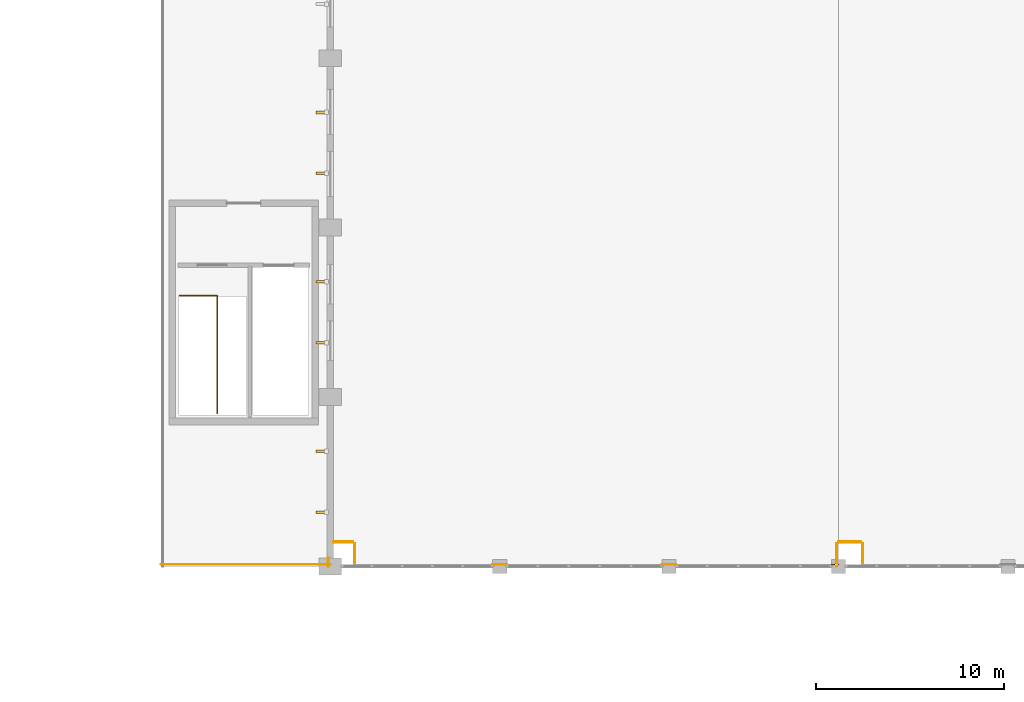
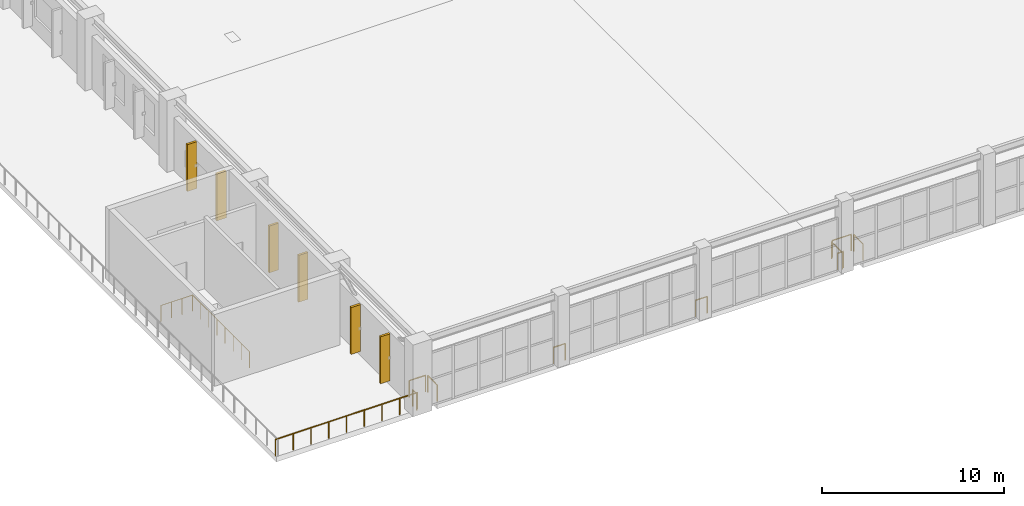
# One storey, part 71 of 89: 11 railings, 6 shading devices.
"""IFC4 building model written with IfcOpenShell, lengths in metres."""

from ifc_helpers import new_model, si_unit, direction, frame, origin, origin_2d, place, context, subcontext, project, spatial, rectangle, circle, extrude, material, layer, layer_set, type_object, element, save


model = new_model("IFC4")

# Units and contexts
model_context = context("Model", 3, precision=1e-05, world=origin(), true_north=direction((0.0, 1.0)))
body_context = subcontext(model_context, "Body", "Model", "MODEL_VIEW")
ifc_project = project(units=[si_unit("LENGTHUNIT", "METRE"), si_unit("AREAUNIT", "SQUARE_METRE"), si_unit("VOLUMEUNIT", "CUBIC_METRE"), si_unit("PLANEANGLEUNIT", "RADIAN"), si_unit("MASSUNIT", "GRAM", prefix="KILO")], contexts=[model_context])

# Site, building, storey
site_placement = place(None, origin())
site = spatial("IfcSite", under=ifc_project, at=site_placement, CompositionType="ELEMENT")
building_placement = place(site_placement, origin())
building = spatial("IfcBuilding", under=site, at=building_placement, Name="Dornveld Trade and Exhibition Forum", CompositionType="ELEMENT")
storey_placement = place(building_placement, frame((0.0, 0.0, 12.0)))
storey = spatial("IfcBuildingStorey", under=building, at=storey_placement, Name="L02", CompositionType="ELEMENT", Elevation=12.0)

# Railings
ifc_material_1 = material(Name="Dark-bronze steel and laminated glass balustrade", Category="steel")
railing_type_1 = type_object("IfcRailingType", Name="RL-BALUST-CONC", PredefinedType="BALUSTRADE", material=ifc_material_1)
railing_1_placement = place(storey_placement, frame((55.300048828125, 36.179931640625, 0.0)))
element("IfcRailing", 1, at=railing_1_placement, inside=storey, type_object=railing_type_1, Name="L02 deck edge balustrade 150", PredefinedType="BALUSTRADE", context=body_context, shape_type="SweptSolid", body=[
    extrude(circle(Radius=0.02490234375, at=origin_2d()), frame((0.0, 0.0, 1.09521484375), z_axis=(0.0, 1.0, 0.0), x_axis=(-1.0, 0.0, 0.0)), (0.0, 0.0, 1.0), 1.02001953125),
    extrude(circle(Radius=0.02099609375, at=origin_2d()), origin(), (0.0, 0.0, 1.0), 1.070068359375),
    extrude(circle(Radius=0.02099609375, at=origin_2d()), frame((0.0, 1.02001953125, 0.0)), (0.0, 0.0, 1.0), 1.070068359375),
])
railing_2_placement = place(storey_placement, frame((55.199951171875, 37.300048828125, 0.0)))
element("IfcRailing", 2, at=railing_2_placement, inside=storey, type_object=railing_type_1, Name="L02 deck edge balustrade 151", PredefinedType="BALUSTRADE", context=body_context, shape_type="SweptSolid", body=[
    extrude(circle(Radius=0.02490234375, at=origin_2d()), frame((0.0, 0.0, 1.09521484375), z_axis=(-1.0, 0.0, 0.0), x_axis=(0.0, -1.0, 0.0)), (0.0, 0.0, 1.0), 1.199951171875),
    extrude(circle(Radius=0.02099609375, at=origin_2d()), origin(), (0.0, 0.0, 1.0), 1.070068359375),
    extrude(circle(Radius=0.02099609375, at=origin_2d()), frame((-1.199951171875, 0.0, 0.0)), (0.0, 0.0, 1.0), 1.070068359375),
])
railing_3_placement = place(storey_placement, frame((53.89990234375, 37.199951171875, 0.0)))
element("IfcRailing", 3, at=railing_3_placement, inside=storey, type_object=railing_type_1, Name="L02 deck edge balustrade 152", PredefinedType="BALUSTRADE", context=body_context, shape_type="SweptSolid", body=[
    extrude(circle(Radius=0.02490234375, at=origin_2d()), frame((0.0, 0.0, 1.09521484375), z_axis=(0.0, -1.0, 0.0), x_axis=(1.0, 0.0, 0.0)), (0.0, 0.0, 1.0), 1.199951171875),
    extrude(circle(Radius=0.02099609375, at=origin_2d()), origin(), (0.0, 0.0, 1.0), 1.070068359375),
    extrude(circle(Radius=0.02099609375, at=origin_2d()), frame((0.0, -1.199951171875, 0.0)), (0.0, 0.0, 1.0), 1.070068359375),
])
railing_4_placement = place(storey_placement, frame((54.0, 36.10009765625, 0.0)))
element("IfcRailing", 4, at=railing_4_placement, inside=storey, type_object=railing_type_1, Name="L02 deck edge balustrade 153", PredefinedType="BALUSTRADE", context=body_context, shape_type="SweptSolid", body=[
    extrude(circle(Radius=0.02490234375, at=origin_2d()), frame((0.0, 0.0, 1.09521484375), z_axis=(-1.0, 0.0, 0.0), x_axis=(0.0, -1.0, 0.0)), (0.0, 0.0, 1.0), 0.37109375),
    extrude(circle(Radius=0.02099609375, at=origin_2d()), origin(), (0.0, 0.0, 1.0), 1.070068359375),
    extrude(circle(Radius=0.02099609375, at=origin_2d()), frame((-0.37109375, 0.0, 0.0)), (0.0, 0.0, 1.0), 1.070068359375),
])
for number, where, name in (
    (5, (45.37109375, 36.10009765625, 0.0), "L02 deck edge balustrade 154"),
    (6, (36.37109375, 36.10009765625, 0.0), "L02 deck edge balustrade 155"),
):
    element("IfcRailing", number, at=place(storey_placement, frame(where)), inside=storey, type_object=railing_type_1, Name=name, PredefinedType="BALUSTRADE", context=body_context, shape_type="SweptSolid", body=[
        extrude(circle(Radius=0.02490234375, at=origin_2d()), frame((0.0, 0.0, 1.09521484375), z_axis=(-1.0, 0.0, 0.0), x_axis=(0.0, -1.0, 0.0)), (0.0, 0.0, 1.0), 0.7421875),
        extrude(circle(Radius=0.02099609375, at=origin_2d()), origin(), (0.0, 0.0, 1.0), 1.070068359375),
        extrude(circle(Radius=0.02099609375, at=origin_2d()), frame((-0.7421875, 0.0, 0.0)), (0.0, 0.0, 1.0), 1.070068359375),
    ])
railing_5_placement = place(storey_placement, frame((28.300048828125, 36.179931640625, 0.0)))
element("IfcRailing", 7, at=railing_5_placement, inside=storey, type_object=railing_type_1, Name="L02 deck edge balustrade 156", PredefinedType="BALUSTRADE", context=body_context, shape_type="SweptSolid", body=[
    extrude(circle(Radius=0.02490234375, at=origin_2d()), frame((0.0, 0.0, 1.09521484375), z_axis=(0.0, 1.0, 0.0), x_axis=(-1.0, 0.0, 0.0)), (0.0, 0.0, 1.0), 1.02001953125),
    extrude(circle(Radius=0.02099609375, at=origin_2d()), origin(), (0.0, 0.0, 1.0), 1.070068359375),
    extrude(circle(Radius=0.02099609375, at=origin_2d()), frame((0.0, 1.02001953125, 0.0)), (0.0, 0.0, 1.0), 1.070068359375),
])
railing_6_placement = place(storey_placement, frame((28.199951171875, 37.300048828125, 0.0)))
element("IfcRailing", 8, at=railing_6_placement, inside=storey, type_object=railing_type_1, Name="L02 deck edge balustrade 157", PredefinedType="BALUSTRADE", context=body_context, shape_type="SweptSolid", body=[
    extrude(circle(Radius=0.02490234375, at=origin_2d()), frame((0.0, 0.0, 1.09521484375), z_axis=(-1.0, 0.0, 0.0), x_axis=(0.0, -1.0, 0.0)), (0.0, 0.0, 1.0), 1.02001953125),
    extrude(circle(Radius=0.02099609375, at=origin_2d()), origin(), (0.0, 0.0, 1.0), 1.070068359375),
    extrude(circle(Radius=0.02099609375, at=origin_2d()), frame((-1.02001953125, 0.0, 0.0)), (0.0, 0.0, 1.0), 1.070068359375),
])
railing_7_placement = place(storey_placement, frame((26.89990234375, 36.449462890625, 0.0)))
element("IfcRailing", 9, at=railing_7_placement, inside=storey, type_object=railing_type_1, Name="L02 deck edge balustrade 158", PredefinedType="BALUSTRADE", context=body_context, shape_type="SweptSolid", body=[
    extrude(circle(Radius=0.02490234375, at=origin_2d()), frame((0.0, 0.0, 1.09521484375), z_axis=(0.0, -1.0, 0.0), x_axis=(1.0, 0.0, 0.0)), (0.0, 0.0, 1.0), 0.449462890625),
    extrude(circle(Radius=0.02099609375, at=origin_2d()), origin(), (0.0, 0.0, 1.0), 1.070068359375),
    extrude(circle(Radius=0.02099609375, at=origin_2d()), frame((0.0, -0.449462890625, 0.0)), (0.0, 0.0, 1.0), 1.070068359375),
])
railing_8_placement = place(storey_placement, frame((27.0, 36.10009765625, 0.0)))
element("IfcRailing", 10, at=railing_8_placement, inside=storey, type_object=railing_type_1, Name="L02 deck edge balustrade 159", PredefinedType="BALUSTRADE", context=body_context, shape_type="SweptSolid", body=[
    extrude(circle(Radius=0.02490234375, at=origin_2d()), frame((0.0, 0.0, 1.09521484375), z_axis=(-1.0, 0.0, 0.0), x_axis=(0.0, -1.0, 0.0)), (0.0, 0.0, 1.0), 9.0),
    extrude(circle(Radius=0.02099609375, at=origin_2d()), origin(), (0.0, 0.0, 1.0), 1.070068359375),
    extrude(circle(Radius=0.02099609375, at=origin_2d()), frame((-1.125, 0.0, 0.0)), (0.0, 0.0, 1.0), 1.070068359375),
    extrude(circle(Radius=0.02099609375, at=origin_2d()), frame((-2.25, 0.0, 0.0)), (0.0, 0.0, 1.0), 1.070068359375),
    extrude(circle(Radius=0.02099609375, at=origin_2d()), frame((-3.375, 0.0, 0.0)), (0.0, 0.0, 1.0), 1.070068359375),
    extrude(circle(Radius=0.02099609375, at=origin_2d()), frame((-4.5, 0.0, 0.0)), (0.0, 0.0, 1.0), 1.070068359375),
    extrude(circle(Radius=0.02099609375, at=origin_2d()), frame((-5.625, 0.0, 0.0)), (0.0, 0.0, 1.0), 1.070068359375),
    extrude(circle(Radius=0.02099609375, at=origin_2d()), frame((-6.75, 0.0, 0.0)), (0.0, 0.0, 1.0), 1.070068359375),
    extrude(circle(Radius=0.02099609375, at=origin_2d()), frame((-7.875, 0.0, 0.0)), (0.0, 0.0, 1.0), 1.070068359375),
    extrude(circle(Radius=0.02099609375, at=origin_2d()), frame((-9.0, 0.0, 0.0)), (0.0, 0.0, 1.0), 1.070068359375),
])
ifc_material_2 = material(Name="Painted steel S355J2 stair-well guard", Category="steel")
railing_type_2 = type_object("IfcRailingType", Name="RL-WELL-110", PredefinedType="GUARDRAIL", material=ifc_material_2)
railing_9_placement = place(storey_placement, frame((18.97998046875, 50.3701171875, 0.0)))
element("IfcRailing", 11, at=railing_9_placement, inside=storey, type_object=railing_type_2, Name="CORE-09 L02 stair-well top guard", PredefinedType="GUARDRAIL", context=body_context, shape_type="SweptSolid", body=[
    extrude(circle(Radius=0.02392578125, at=origin_2d()), frame((0.0, 0.0, 1.076171875), z_axis=(1.0, 0.0, 0.0), x_axis=(0.0, 1.0, 0.0)), (0.0, 0.0, 1.0), 2.005126953125),
    extrude(circle(Radius=0.02392578125, at=origin_2d()), frame((2.005126953125, 0.0, 1.076171875), z_axis=(0.0, -1.0, 0.0), x_axis=(1.0, 0.0, 0.0)), (0.0, 0.0, 1.0), 6.25),
    extrude(circle(Radius=0.02001953125, at=origin_2d()), origin(), (0.0, 0.0, 1.0), 1.052001953125),
    extrude(circle(Radius=0.02001953125, at=origin_2d()), frame((0.66845703125, 0.0, 0.0)), (0.0, 0.0, 1.0), 1.052001953125),
    extrude(circle(Radius=0.02001953125, at=origin_2d()), frame((1.336669921875, 0.0, 0.0)), (0.0, 0.0, 1.0), 1.052001953125),
    extrude(circle(Radius=0.02001953125, at=origin_2d()), frame((2.005126953125, 0.0, 0.0)), (0.0, 0.0, 1.0), 1.052001953125),
    extrude(circle(Radius=0.02001953125, at=origin_2d()), frame((2.005126953125, -0.892822265625, 0.0)), (0.0, 0.0, 1.0), 1.052001953125),
    extrude(circle(Radius=0.02001953125, at=origin_2d()), frame((2.005126953125, -1.78564453125, 0.0)), (0.0, 0.0, 1.0), 1.052001953125),
    extrude(circle(Radius=0.02001953125, at=origin_2d()), frame((2.005126953125, -2.678466796875, 0.0)), (0.0, 0.0, 1.0), 1.052001953125),
    extrude(circle(Radius=0.02001953125, at=origin_2d()), frame((2.005126953125, -3.571533203125, 0.0)), (0.0, 0.0, 1.0), 1.052001953125),
    extrude(circle(Radius=0.02001953125, at=origin_2d()), frame((2.005126953125, -4.46435546875, 0.0)), (0.0, 0.0, 1.0), 1.052001953125),
    extrude(circle(Radius=0.02001953125, at=origin_2d()), frame((2.005126953125, -5.357177734375, 0.0)), (0.0, 0.0, 1.0), 1.052001953125),
    extrude(circle(Radius=0.02001953125, at=origin_2d()), frame((2.005126953125, -6.25, 0.0)), (0.0, 0.0, 1.0), 1.052001953125),
])

# Shading devices
ifc_material_3 = material(Name="Precast concrete C50/60", Category="concrete")
ifc_layer = layer(ifc_material_3, 0.139892578125)
ifc_layer_set = layer_set([ifc_layer], Name="Precast concrete C50/60")
shading_device_type = type_object("IfcShadingDeviceType", Name="SHD-FIN-600", PredefinedType="JALOUSIE", material=ifc_layer_set)
for number, where, z_axis, x_axis, name in (
    (12, (26.5400390625, 42.1201171875, 0.30029296875), (0.0, 0.0, 1.0), (0.0, -1.0, 0.0), "L02 vertical solar brise-soleil fin 23"),
    (13, (26.5400390625, 38.8798828125, 0.30029296875), (0.0, 0.0, 1.0), (0.0, -1.0, 0.0), "L02 vertical solar brise-soleil fin 24"),
    (14, (26.5400390625, 51.1201171875, 0.30029296875), (0.0, 0.0, 1.0), (0.0, -1.0, 0.0), "L02 vertical solar brise-soleil fin 31"),
    (15, (26.5400390625, 47.8798828125, 0.30029296875), (0.0, 0.0, 1.0), (0.0, -1.0, 0.0), "L02 vertical solar brise-soleil fin 32"),
    (16, (26.5400390625, 60.1201171875, 0.30029296875), (0.0, 0.0, 1.0), (0.0, -1.0, 0.0), "L02 vertical solar brise-soleil fin 39"),
    (17, (26.5400390625, 56.8798828125, 0.30029296875), (0.0, 0.0, 1.0), (0.0, -1.0, 0.0), "L02 vertical solar brise-soleil fin 40"),
):
    element("IfcShadingDevice", number, at=place(storey_placement, frame(where, z_axis=z_axis, x_axis=x_axis)), inside=storey, type_object=shading_device_type, Name=name, PredefinedType="JALOUSIE", context=body_context, shape_type="SweptSolid", body=[
        extrude(rectangle(XDim=0.139892578125, YDim=0.60009765625, at=origin_2d()), origin(), (0.0, 0.0, 1.0), 3.139892578125),
    ])

save(model, "model.ifc")
